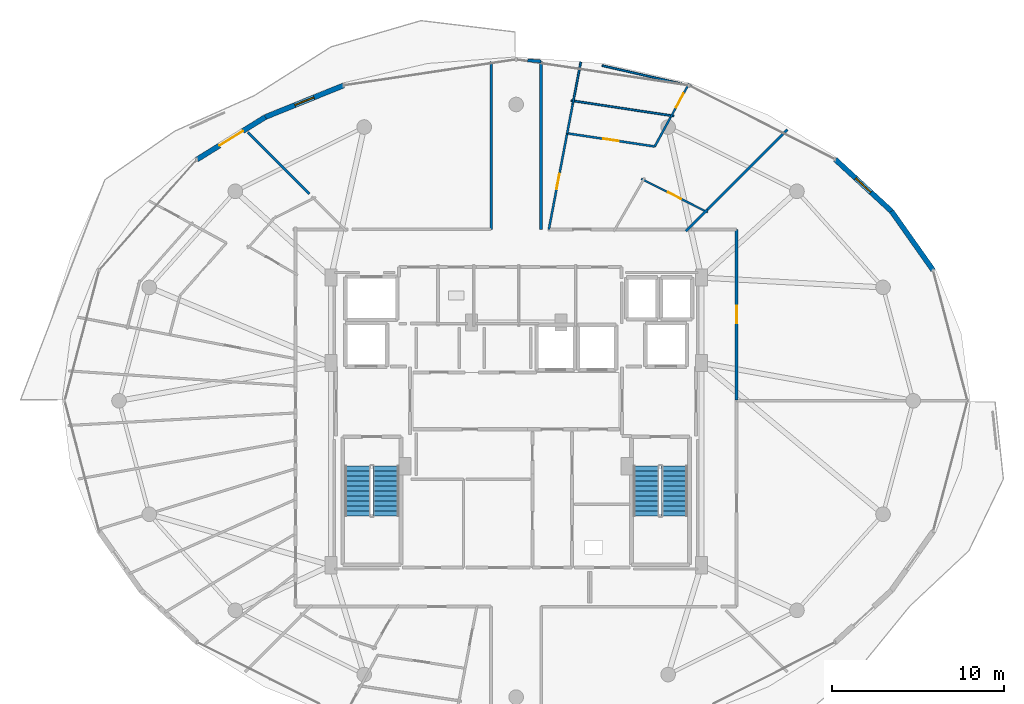
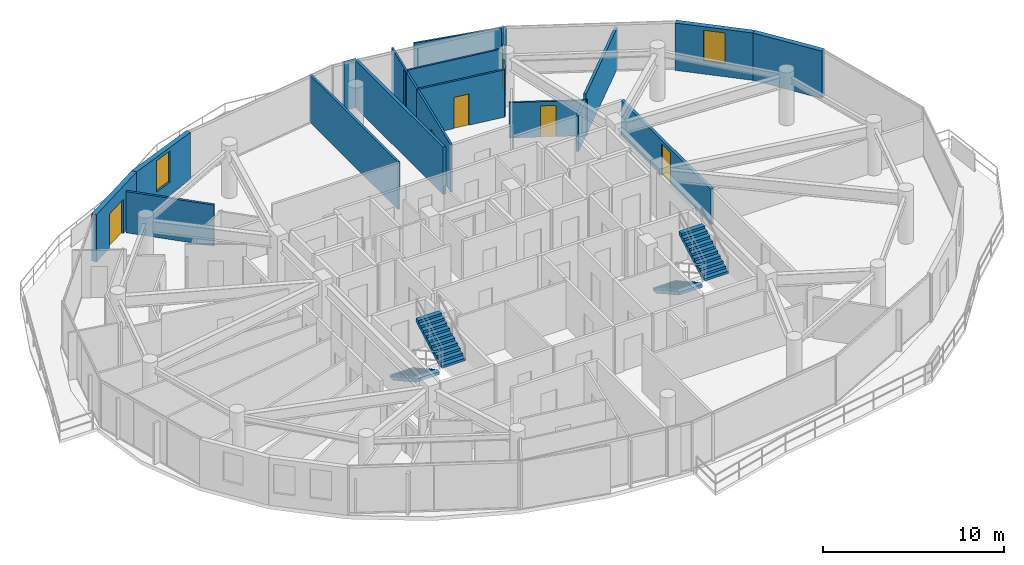
# One storey, part 21 of 25: 20 walls, 6 doors, 4 stair flights, 2 windows, 8 openings, 2 elements without a shape of their own.
"""IFC4 building model written with IfcOpenShell, lengths in metres."""

from ifc_helpers import new_model, si_unit, direction, frame, frame_2d, origin, place, context, subcontext, project, spatial, polyline, rectangle, outline, extrude, material, layer, layer_set, type_object, element, fill, aggregate, save


model = new_model("IFC4")

# Units and contexts
model_context = context("Model", 3, precision=1e-05, world=origin(), true_north=direction((0.0, 1.0)))
body_context = subcontext(model_context, "Body", "Model", "MODEL_VIEW")
ifc_project = project(units=[si_unit("LENGTHUNIT", "METRE"), si_unit("AREAUNIT", "SQUARE_METRE"), si_unit("VOLUMEUNIT", "CUBIC_METRE"), si_unit("PLANEANGLEUNIT", "RADIAN"), si_unit("MASSUNIT", "GRAM", prefix="KILO")], contexts=[model_context])

# Site, building, storey
site_placement = place(None, origin())
site = spatial("IfcSite", under=ifc_project, at=site_placement, CompositionType="ELEMENT")
building_placement = place(site_placement, origin())
building = spatial("IfcBuilding", under=site, at=building_placement, Name="Vorneva Point Tower", CompositionType="ELEMENT")
storey_placement = place(building_placement, frame((0.0, 0.0, 276.85009765625)))
storey = spatial("IfcBuildingStorey", under=building, at=storey_placement, Name="L75", CompositionType="ELEMENT", Elevation=276.85009765625)

# Wall
ifc_material_1 = material(Name="Precast concrete B50 (C40/50)", Category="concrete")
ifc_layer_1 = layer(ifc_material_1, 0.300048828125)
ifc_layer_set_1 = layer_set([ifc_layer_1], Name="Precast concrete B50 (C40/50)")
wall_type_1 = type_object("IfcWallType", Name="WL-EXT-300", PredefinedType="STANDARD", material=ifc_layer_set_1)
wall_1_placement = place(storey_placement, frame((62.20556640625, 33.5810546875, 0.0), z_axis=(0.0, 0.0, 1.0), x_axis=(-0.577261247247, 0.816559521668, 0.0)))
element("IfcWall", 1, at=wall_1_placement, inside=storey, type_object=wall_type_1, Name="L75 Pale-Metal Facade Spandrel Wall 02.1", PredefinedType="STANDARD", context=body_context, shape_type="SweptSolid", body=[
    extrude(rectangle(XDim=4.194091796875, YDim=0.300048828125, at=frame_2d((2.09716796875, 0.0))), origin(), (0.0, 0.0, 1.0), 3.18994140625),
])

# Wall, opening, window
wall_2_placement = place(storey_placement, frame((59.784423828125, 37.005859375, 0.0), z_axis=(0.0, 0.0, 1.0), x_axis=(-0.735445373611, 0.677584018727, 0.0)))
wall_2 = element("IfcWall", 2, at=wall_2_placement, inside=storey, type_object=wall_type_1, Name="L75 Pale-Metal Facade Spandrel Wall 02.2", PredefinedType="STANDARD", context=body_context, shape_type="SweptSolid", body=[
    extrude(rectangle(XDim=4.430419921875, YDim=0.300048828125, at=frame_2d((2.21533203125, 0.0))), origin(), (0.0, 0.0, 1.0), 3.18994140625),
])
opening_1_placement = place(wall_2_placement, frame((1.615234375, 0.0, 0.85009765625)))
opening_1 = element("IfcOpeningElement", 3, at=opening_1_placement, cuts=wall_2, Name="Opening W-04", PredefinedType="OPENING", context=body_context, shape_type="SweptSolid", body=[
    extrude(rectangle(XDim=1.199951171875, YDim=2.10009765625, at=frame_2d((0.60009765625, 1.050048828125))), frame((0.0, 0.1650390625, 0.0), z_axis=(0.0, -1.0, 0.0), x_axis=(1.0, 0.0, 0.0)), (0.0, 0.0, 1.0), 0.329833984375),
])
ifc_material_2 = material(Name="Double low-e laminated glass IGU", Category="glass")
window_type = type_object("IfcWindowType", Name="WN-RES-1200", PartitioningType="SINGLE_PANEL", PredefinedType="WINDOW", material=ifc_material_2)
window_1_placement = place(opening_1_placement, origin())
window_1 = element("IfcWindow", 4, at=window_1_placement, inside=storey, type_object=window_type, Name="L75 Facade Window 02", OverallHeight=2.10009765625, OverallWidth=1.199951171875, PartitioningType="SINGLE_PANEL", PredefinedType="WINDOW", context=body_context, shape_type="SweptSolid", body=[
    extrude(rectangle(XDim=1.199951171875, YDim=2.10009765625, at=frame_2d((0.60009765625, 1.050048828125))), frame((0.0, 0.030029296875, 0.0), z_axis=(0.0, -1.0, 0.0), x_axis=(1.0, 0.0, 0.0)), (0.0, 0.0, 1.0), 0.06005859375),
])
fill(opening_1, window_1)

wall_3_placement = place(storey_placement, frame((27.9736328125, 44.302001953125, 0.0), z_axis=(0.0, 0.0, 1.0), x_axis=(-0.927147375511, -0.374696869594, 0.0)))
wall_3 = element("IfcWall", 5, at=wall_3_placement, inside=storey, type_object=wall_type_1, Name="L75 Pale-Metal Facade Spandrel Wall 06.1", PredefinedType="STANDARD", context=body_context, shape_type="SweptSolid", body=[
    extrude(rectangle(XDim=4.885498046875, YDim=0.300048828125, at=frame_2d((2.44287109375, 0.0))), origin(), (0.0, 0.0, 1.0), 3.18994140625),
])
opening_2_placement = place(wall_3_placement, frame((1.8427734375, 0.0, 0.85009765625)))
opening_2 = element("IfcOpeningElement", 6, at=opening_2_placement, cuts=wall_3, Name="Opening W-04", PredefinedType="OPENING", context=body_context, shape_type="SweptSolid", body=[
    extrude(rectangle(XDim=1.199951171875, YDim=2.10009765625, at=frame_2d((0.60009765625, 1.050048828125))), frame((0.0, 0.1650390625, 0.0), z_axis=(0.0, -1.0, 0.0), x_axis=(1.0, 0.0, 0.0)), (0.0, 0.0, 1.0), 0.329833984375),
])
window_2_placement = place(opening_2_placement, origin())
window_2 = element("IfcWindow", 7, at=window_2_placement, inside=storey, type_object=window_type, Name="L75 Facade Window 06", OverallHeight=2.10009765625, OverallWidth=1.199951171875, PartitioningType="SINGLE_PANEL", PredefinedType="WINDOW", context=body_context, shape_type="SweptSolid", body=[
    extrude(rectangle(XDim=1.199951171875, YDim=2.10009765625, at=frame_2d((0.60009765625, 1.050048828125))), frame((0.0, 0.030029296875, 0.0), z_axis=(0.0, -1.0, 0.0), x_axis=(1.0, 0.0, 0.0)), (0.0, 0.0, 1.0), 0.06005859375),
])
fill(opening_2, window_2)

# Wall, opening, door
wall_4_placement = place(storey_placement, frame((23.444091796875, 42.471435546875, 0.0), z_axis=(0.0, 0.0, 1.0), x_axis=(-0.849702323036, -0.527262707032, 0.0)))
wall_4 = element("IfcWall", 8, at=wall_4_placement, inside=storey, type_object=wall_type_1, Name="L75 Pale-Metal Facade Spandrel Wall 06.2", PredefinedType="STANDARD", context=body_context, shape_type="SweptSolid", body=[
    extrude(rectangle(XDim=4.67236328125, YDim=0.300048828125, at=frame_2d((2.336181640625, 0.0))), origin(), (0.0, 0.0, 1.0), 3.18994140625),
])
opening_3_placement = place(wall_4_placement, frame((1.536376953125, 0.0, 0.0)))
opening_3 = element("IfcOpeningElement", 9, at=opening_3_placement, cuts=wall_4, Name="Opening BD-01", PredefinedType="OPENING", context=body_context, shape_type="SweptSolid", body=[
    extrude(rectangle(XDim=1.60009765625, YDim=2.300048828125, at=frame_2d((0.800048828125, 1.14990234375))), frame((0.0, 0.1650390625, 0.0), z_axis=(0.0, -1.0, 0.0), x_axis=(1.0, 0.0, 0.0)), (0.0, 0.0, 1.0), 0.329833984375),
])
ifc_material_3 = material(Name="Pale anodised aluminium", Category="aluminium")
door_type_1 = type_object("IfcDoorType", Name="DR-BAL-1600", OperationType="SLIDING_TO_LEFT", PredefinedType="DOOR", material=ifc_material_3)
door_1_placement = place(opening_3_placement, origin())
door_1 = element("IfcDoor", 10, at=door_1_placement, inside=storey, type_object=door_type_1, Name="L75 Balcony Terrace Access Door 06", OperationType="SLIDING_TO_LEFT", OverallHeight=2.300048828125, OverallWidth=1.60009765625, PredefinedType="DOOR", context=body_context, shape_type="SweptSolid", body=[
    extrude(rectangle(XDim=1.60009765625, YDim=2.300048828125, at=frame_2d((0.800048828125, 1.14990234375))), frame((0.0, 0.02490234375, 0.0), z_axis=(0.0, -1.0, 0.0), x_axis=(1.0, 0.0, 0.0)), (0.0, 0.0, 1.0), 0.050048828125),
])
fill(opening_3, door_1)

ifc_material_4 = material(Name="Fire-rated acoustic gypsum stud partition", Category="gypsum")
ifc_layer_2 = layer(ifc_material_4, 0.110107421875)
ifc_layer_set_2 = layer_set([ifc_layer_2], Name="Fire-rated acoustic gypsum stud partition")
wall_type_2 = type_object("IfcWallType", Name="WL-PART-110", PredefinedType="PARTITIONING", material=ifc_layer_set_2)
wall_5_placement = place(storey_placement, frame((45.263916015625, 38.885986328125, 0.0), z_axis=(0.0, 0.0, 1.0), x_axis=(0.892556527512, -0.450935522216, 0.0)))
wall_5 = element("IfcWall", 11, at=wall_5_placement, inside=storey, type_object=wall_type_2, Name="L75 Interior Partition 064", PredefinedType="PARTITIONING", context=body_context, shape_type="SweptSolid", body=[
    extrude(rectangle(XDim=4.32470703125, YDim=0.110107421875, at=frame_2d((2.162353515625, 0.0))), origin(), (0.0, 0.0, 1.0), 2.3818359375),
])
opening_4_placement = place(wall_5_placement, frame((1.7373046875, 0.0, 0.0)))
opening_4 = element("IfcOpeningElement", 12, at=opening_4_placement, cuts=wall_5, Name="Opening ID-02", PredefinedType="OPENING", context=body_context, shape_type="SweptSolid", body=[
    extrude(rectangle(XDim=0.85009765625, YDim=2.10009765625, at=frame_2d((0.425048828125, 1.050048828125))), frame((0.0, 0.06982421875, 0.0), z_axis=(0.0, -1.0, 0.0), x_axis=(1.0, 0.0, 0.0)), (0.0, 0.0, 1.0), 0.139892578125),
])
ifc_material_5 = material(Name="Engineered oak fire-rated door leaf", Category="wood")
door_type_2 = type_object("IfcDoorType", Name="DR-BATH-850", OperationType="NOTDEFINED", PredefinedType="DOOR", material=ifc_material_5)
door_2_placement = place(opening_4_placement, origin())
door_2 = element("IfcDoor", 13, at=door_2_placement, inside=storey, type_object=door_type_2, Name="L75 Door Living and Dining Room L75-01 / Bathroom L75-01", OperationType="SINGLE_SWING_LEFT", OverallHeight=2.10009765625, OverallWidth=0.85009765625, PredefinedType="DOOR", context=body_context, shape_type="SweptSolid", body=[
    extrude(rectangle(XDim=0.85009765625, YDim=2.10009765625, at=frame_2d((0.425048828125, 1.050048828125))), frame((0.0, 0.02490234375, 0.0), z_axis=(0.0, -1.0, 0.0), x_axis=(1.0, 0.0, 0.0)), (0.0, 0.0, 1.0), 0.050048828125),
])
fill(opening_4, door_2)

# Walls
wall_6_placement = place(storey_placement, frame((41.28369140625, 43.21142578125, 0.0), z_axis=(0.0, 0.0, 1.0), x_axis=(0.187233159216, 0.982315501298, 0.0)))
element("IfcWall", 14, at=wall_6_placement, inside=storey, type_object=wall_type_2, Name="L75 Interior Partition 065", PredefinedType="PARTITIONING", context=body_context, shape_type="SweptSolid", body=[
    extrude(rectangle(XDim=2.502197265625, YDim=0.110107421875, at=frame_2d((1.2509765625, 0.0))), origin(), (0.0, 0.0, 1.0), 3.18994140625),
])
wall_7_placement = place(storey_placement, frame((48.17138671875, 44.2666015625, 0.0), z_axis=(0.0, 0.0, 1.0), x_axis=(-0.974586324437, 0.224012268015, 0.0)))
element("IfcWall", 15, at=wall_7_placement, inside=storey, type_object=wall_type_2, Name="L75 Interior Partition 066", PredefinedType="PARTITIONING", context=body_context, shape_type="SweptSolid", body=[
    extrude(rectangle(XDim=5.324951171875, YDim=0.110107421875, at=frame_2d((2.66259765625, 0.0))), origin(), (0.0, 0.0, 1.0), 3.18994140625),
])

# Wall, opening, door
wall_8_placement = place(storey_placement, frame((48.0439453125, 44.433837890625, 0.0), z_axis=(0.0, 0.0, 1.0), x_axis=(-0.478485169604, -0.878095634011, 0.0)))
wall_8 = element("IfcWall", 16, at=wall_8_placement, inside=storey, type_object=wall_type_2, Name="L75 Interior Partition 067", PredefinedType="PARTITIONING", context=body_context, shape_type="SweptSolid", body=[
    extrude(rectangle(XDim=2.284423828125, YDim=0.110107421875, at=frame_2d((1.14208984375, 0.0))), origin(), (0.0, 0.0, 1.0), 3.18994140625),
])
opening_5_placement = place(wall_8_placement, frame((0.692138671875, 0.0, 0.0)))
opening_5 = element("IfcOpeningElement", 17, at=opening_5_placement, cuts=wall_8, Name="Opening ID-01", PredefinedType="OPENING", context=body_context, shape_type="SweptSolid", body=[
    extrude(rectangle(XDim=0.89990234375, YDim=2.10009765625, at=frame_2d((0.449951171875, 1.050048828125))), frame((0.0, 0.06982421875, 0.0), z_axis=(0.0, -1.0, 0.0), x_axis=(1.0, 0.0, 0.0)), (0.0, 0.0, 1.0), 0.139892578125),
])
door_type_3 = type_object("IfcDoorType", Name="DR-ROOM-900", OperationType="NOTDEFINED", PredefinedType="DOOR", material=ifc_material_5)
door_3_placement = place(opening_5_placement, origin())
door_3 = element("IfcDoor", 18, at=door_3_placement, inside=storey, type_object=door_type_3, Name="L75 Door Living and Dining Room L75-01 / Kitchen L75-01", OperationType="SINGLE_SWING_LEFT", OverallHeight=2.10009765625, OverallWidth=0.89990234375, PredefinedType="DOOR", context=body_context, shape_type="SweptSolid", body=[
    extrude(rectangle(XDim=0.89990234375, YDim=2.10009765625, at=frame_2d((0.449951171875, 1.050048828125))), frame((0.0, 0.02490234375, 0.0), z_axis=(0.0, -1.0, 0.0), x_axis=(1.0, 0.0, 0.0)), (0.0, 0.0, 1.0), 0.050048828125),
])
fill(opening_5, door_3)

# Wall
wall_9_placement = place(storey_placement, frame((41.1826171875, 43.4287109375, 0.0), z_axis=(0.0, 0.0, 1.0), x_axis=(0.988879067965, -0.148721850918, 0.0)))
element("IfcWall", 19, at=wall_9_placement, inside=storey, type_object=wall_type_2, Name="L75 Interior Partition 074", PredefinedType="PARTITIONING", context=body_context, shape_type="SweptSolid", body=[
    extrude(rectangle(XDim=6.041015625, YDim=0.110107421875, at=frame_2d((3.0205078125, 0.0))), origin(), (0.0, 0.0, 1.0), 3.18994140625),
])

# Wall, opening, door
ifc_layer_3 = layer(ifc_material_4, 0.125)
ifc_layer_set_3 = layer_set([ifc_layer_3], Name="Fire-rated acoustic gypsum stud partition")
wall_type_3 = type_object("IfcWallType", Name="WL-PART-125", PredefinedType="PARTITIONING", material=ifc_layer_set_3)
wall_10_placement = place(storey_placement, frame((46.04296875, 40.761962890625, 0.0), z_axis=(0.0, 0.0, 1.0), x_axis=(-0.988886109078, 0.148675025721, 0.0)))
wall_10 = element("IfcWall", 20, at=wall_10_placement, inside=storey, type_object=wall_type_3, Name="L75 Interior Partition 068", PredefinedType="PARTITIONING", context=body_context, shape_type="SweptSolid", body=[
    extrude(rectangle(XDim=5.13818359375, YDim=0.125, at=frame_2d((2.569091796875, 0.0))), origin(), (0.0, 0.0, 1.0), 3.18994140625),
])
opening_6_placement = place(wall_10_placement, frame((2.119140625, 0.0, 0.0)))
opening_6 = element("IfcOpeningElement", 21, at=opening_6_placement, cuts=wall_10, Name="Opening ID-01", PredefinedType="OPENING", context=body_context, shape_type="SweptSolid", body=[
    extrude(rectangle(XDim=0.89990234375, YDim=2.10009765625, at=frame_2d((0.449951171875, 1.050048828125))), frame((0.0, 0.077392578125, 0.0), z_axis=(0.0, -1.0, 0.0), x_axis=(1.0, 0.0, 0.0)), (0.0, 0.0, 1.0), 0.15478515625),
])
door_4_placement = place(opening_6_placement, origin())
door_4 = element("IfcDoor", 22, at=door_4_placement, inside=storey, type_object=door_type_3, Name="L75 Door Living and Dining Room L75-01 / Study Room L75-01", OperationType="SINGLE_SWING_LEFT", OverallHeight=2.10009765625, OverallWidth=0.89990234375, PredefinedType="DOOR", context=body_context, shape_type="SweptSolid", body=[
    extrude(rectangle(XDim=0.89990234375, YDim=2.10009765625, at=frame_2d((0.449951171875, 1.050048828125))), frame((0.0, 0.02490234375, 0.0), z_axis=(0.0, -1.0, 0.0), x_axis=(1.0, 0.0, 0.0)), (0.0, 0.0, 1.0), 0.050048828125),
])
fill(opening_6, door_4)

# Walls
wall_11_placement = place(storey_placement, frame((40.9619140625, 41.52587890625, 0.0), z_axis=(0.0, 0.0, 1.0), x_axis=(0.187353972187, 0.982292466176, 0.0)))
element("IfcWall", 23, at=wall_11_placement, inside=storey, type_object=wall_type_3, Name="L75 Interior Partition 069", PredefinedType="PARTITIONING", context=body_context, shape_type="SweptSolid", body=[
    extrude(rectangle(XDim=1.716064453125, YDim=0.125, at=frame_2d((0.85791015625, 0.0))), origin(), (0.0, 0.0, 1.0), 3.18994140625),
])
wall_12_placement = place(storey_placement, frame((46.950927734375, 42.427978515625, 0.0), z_axis=(0.0, 0.0, 1.0), x_axis=(-0.478536562944, -0.878067627194, 0.0)))
element("IfcWall", 24, at=wall_12_placement, inside=storey, type_object=wall_type_3, Name="L75 Interior Partition 070", PredefinedType="PARTITIONING", context=body_context, shape_type="SweptSolid", body=[
    extrude(rectangle(XDim=1.8974609375, YDim=0.125, at=frame_2d((0.94873046875, 0.0))), origin(), (0.0, 0.0, 1.0), 3.18994140625),
])

# Wall, opening, door
wall_13_placement = place(storey_placement, frame((40.9619140625, 41.52587890625, 0.0), z_axis=(0.0, 0.0, 1.0), x_axis=(-0.18743226397, -0.982277530244, 0.0)))
wall_13 = element("IfcWall", 25, at=wall_13_placement, inside=storey, type_object=wall_type_3, Name="L75 Interior Partition 071", PredefinedType="PARTITIONING", context=body_context, shape_type="SweptSolid", body=[
    extrude(rectangle(XDim=5.676513671875, YDim=0.125, at=frame_2d((2.83837890625, 0.0))), origin(), (0.0, 0.0, 1.0), 3.18994140625),
])
opening_7_placement = place(wall_13_placement, frame((2.38818359375, 0.0, 0.0)))
opening_7 = element("IfcOpeningElement", 26, at=opening_7_placement, cuts=wall_13, Name="Opening ID-01", PredefinedType="OPENING", context=body_context, shape_type="SweptSolid", body=[
    extrude(rectangle(XDim=0.89990234375, YDim=2.10009765625, at=frame_2d((0.449951171875, 1.050048828125))), frame((0.0, 0.077392578125, 0.0), z_axis=(0.0, -1.0, 0.0), x_axis=(1.0, 0.0, 0.0)), (0.0, 0.0, 1.0), 0.15478515625),
])
door_5_placement = place(opening_7_placement, origin())
door_5 = element("IfcDoor", 27, at=door_5_placement, inside=storey, type_object=door_type_3, Name="L75 Door Living and Dining Room L75-01 / Master Bedroom L75-01.1", OperationType="SINGLE_SWING_RIGHT", OverallHeight=2.10009765625, OverallWidth=0.89990234375, PredefinedType="DOOR", context=body_context, shape_type="SweptSolid", body=[
    extrude(rectangle(XDim=0.89990234375, YDim=2.10009765625, at=frame_2d((0.449951171875, 1.050048828125))), frame((0.0, 0.02490234375, 0.0), z_axis=(0.0, -1.0, 0.0), x_axis=(1.0, 0.0, 0.0)), (0.0, 0.0, 1.0), 0.050048828125),
])
fill(opening_7, door_5)

# Walls
ifc_layer_4 = layer(ifc_material_4, 0.139892578125)
ifc_layer_set_4 = layer_set([ifc_layer_4], Name="Fire-rated acoustic gypsum stud partition")
wall_type_4 = type_object("IfcWallType", Name="WL-PART-140", PredefinedType="PARTITIONING", material=ifc_layer_set_4)
wall_14_placement = place(storey_placement, frame((36.550048828125, 45.700927734375, 0.0), z_axis=(0.0, 0.0, 1.0), x_axis=(0.0, -1.0, 0.0)))
element("IfcWall", 28, at=wall_14_placement, inside=storey, type_object=wall_type_4, Name="L75 Interior Closure Partition 118", PredefinedType="PARTITIONING", context=body_context, shape_type="SweptSolid", body=[
    extrude(rectangle(XDim=9.7509765625, YDim=0.139892578125, at=frame_2d((4.87548828125, 0.0))), origin(), (0.0, 0.0, 1.0), 3.18994140625),
])
wall_15_placement = place(storey_placement, frame((25.988037109375, 38.011962890625, 0.0), z_axis=(0.0, 0.0, 1.0), x_axis=(-0.707106781187, 0.707106781187, 0.0)))
element("IfcWall", 29, at=wall_15_placement, inside=storey, type_object=wall_type_4, Name="L75 Interior Closure Partition 133", PredefinedType="PARTITIONING", context=body_context, shape_type="SweptSolid", body=[
    extrude(rectangle(XDim=5.04296875, YDim=0.139892578125, at=frame_2d((2.521484375, 0.0))), origin(), (0.0, 0.0, 1.0), 2.77392578125),
])
ifc_layer_5 = layer(ifc_material_4, 0.159912109375)
ifc_layer_set_5 = layer_set([ifc_layer_5], Name="Fire-rated acoustic gypsum stud partition")
wall_type_5 = type_object("IfcWallType", Name="WL-PART-160", PredefinedType="PARTITIONING", material=ifc_layer_set_5)
wall_16_placement = place(storey_placement, frame((48.9990234375, 36.9990234375, 0.0), z_axis=(0.0, 0.0, 1.0), x_axis=(0.707106781187, 0.707106781187, 0.0)))
element("IfcWall", 30, at=wall_16_placement, inside=storey, type_object=wall_type_5, Name="L75 Interior Partition 072", PredefinedType="PARTITIONING", context=body_context, shape_type="SweptSolid", body=[
    extrude(rectangle(XDim=6.70068359375, YDim=0.159912109375, at=frame_2d((3.350341796875, 0.0))), origin(), (0.0, 0.0, 1.0), 2.77392578125),
])
wall_17_placement = place(storey_placement, frame((47.85107421875, 35.85107421875, 0.0), z_axis=(0.0, 0.0, 1.0), x_axis=(0.707106781187, 0.707106781187, 0.0)))
element("IfcWall", 31, at=wall_17_placement, inside=storey, type_object=wall_type_5, Name="L75 Interior Partition 073", PredefinedType="PARTITIONING", context=body_context, shape_type="SweptSolid", body=[
    extrude(rectangle(XDim=1.76318359375, YDim=0.159912109375, at=frame_2d((0.881591796875, 0.0))), origin(), (0.0, 0.0, 1.0), 2.3818359375),
])
ifc_material_6 = material(Name="Autoclaved aerated concrete blockwork", Category="masonry")
ifc_layer_6 = layer(ifc_material_6, 0.179931640625)
ifc_layer_set_6 = layer_set([ifc_layer_6], Name="Autoclaved aerated concrete blockwork")
wall_type_6 = type_object("IfcWallType", Name="WL-PART-180", PredefinedType="PARTITIONING", material=ifc_layer_set_6)
wall_18_placement = place(storey_placement, frame((39.449951171875, 45.700927734375, 0.0), z_axis=(0.0, 0.0, 1.0), x_axis=(-0.997136622012, 0.0756211415, 0.0)))
element("IfcWall", 32, at=wall_18_placement, inside=storey, type_object=wall_type_6, Name="L75 Interior Partition 040", PredefinedType="PARTITIONING", context=body_context, shape_type="SweptSolid", body=[
    extrude(rectangle(XDim=0.78125, YDim=0.179931640625, at=frame_2d((0.390625, 0.0))), origin(), (0.0, 0.0, 1.0), 3.18994140625),
])
wall_19_placement = place(storey_placement, frame((39.449951171875, 35.949951171875, 0.0), z_axis=(0.0, 0.0, 1.0), x_axis=(0.0, 1.0, 0.0)))
element("IfcWall", 33, at=wall_19_placement, inside=storey, type_object=wall_type_6, Name="L75 Interior Partition 041", PredefinedType="PARTITIONING", context=body_context, shape_type="SweptSolid", body=[
    extrude(rectangle(XDim=9.7509765625, YDim=0.179931640625, at=frame_2d((4.87548828125, 0.0))), origin(), (0.0, 0.0, 1.0), 3.18994140625),
])

# Wall, opening, door
wall_20_placement = place(storey_placement, frame((50.800048828125, 26.06005859375, 0.0), z_axis=(0.0, 0.0, 1.0), x_axis=(0.0, 1.0, 0.0)))
wall_20 = element("IfcWall", 34, at=wall_20_placement, inside=storey, type_object=wall_type_6, Name="L75 Interior Partition 061", PredefinedType="PARTITIONING", context=body_context, shape_type="SweptSolid", body=[
    extrude(rectangle(XDim=9.889892578125, YDim=0.179931640625, at=frame_2d((4.94482421875, 0.0))), origin(), (0.0, 0.0, 1.0), 2.3818359375),
])
opening_8_placement = place(wall_20_placement, frame((4.445068359375, 0.0, 0.0)))
opening_8 = element("IfcOpeningElement", 35, at=opening_8_placement, cuts=wall_20, Name="Opening UD-01", PredefinedType="OPENING", context=body_context, shape_type="SweptSolid", body=[
    extrude(rectangle(XDim=1.0, YDim=2.14990234375, at=frame_2d((0.5, 1.074951171875))), frame((0.0, 0.10498046875, 0.0), z_axis=(0.0, -1.0, 0.0), x_axis=(1.0, 0.0, 0.0)), (0.0, 0.0, 1.0), 0.209716796875),
])
door_type_4 = type_object("IfcDoorType", Name="DR-UNIT-1000", OperationType="NOTDEFINED", PredefinedType="DOOR", material=ifc_material_5)
door_6_placement = place(opening_8_placement, origin())
door_6 = element("IfcDoor", 36, at=door_6_placement, inside=storey, type_object=door_type_4, Name="L75 Door L75 Circulation Corridor / Residents Sky Lounge L75-05", OperationType="SINGLE_SWING_RIGHT", OverallHeight=2.14990234375, OverallWidth=1.0, PredefinedType="DOOR", context=body_context, shape_type="SweptSolid", body=[
    extrude(rectangle(XDim=1.0, YDim=2.14990234375, at=frame_2d((0.5, 1.074951171875))), frame((0.0, 0.02490234375, 0.0), z_axis=(0.0, -1.0, 0.0), x_axis=(1.0, 0.0, 0.0)), (0.0, 0.0, 1.0), 0.050048828125),
])
fill(opening_8, door_6)

# Stair, stair flights
ifc_material_7 = material(Name="Concrete B50 (C40/50)", Category="concrete")
stair_type = type_object("IfcStairType", Name="ST-DOG-1500", PredefinedType="HALF_TURN_STAIR", material=ifc_material_7)
stair_1_placement = place(storey_placement, origin())
stair_1 = element("IfcStair", 37, at=stair_1_placement, inside=storey, type_object=stair_type, Name="L75 ST1", PredefinedType="HALF_TURN_STAIR")
stair_flight_type = type_object("IfcStairFlightType", Name="STF-1500", PredefinedType="STRAIGHT", material=ifc_material_7)
stair_flight_1_placement = place(storey_placement, frame((28.800048828125, 22.219970703125, 0.0), z_axis=(0.0, 0.0, 1.0), x_axis=(0.0, -1.0, 0.0)))
stair_flight_1 = element("IfcStairFlight", 38, at=stair_flight_1_placement, type_object=stair_flight_type, Name="ST1 flight 1", NumberOfRisers=11, NumberOfTreads=10, PredefinedType="STRAIGHT", RiserHeight=0.161363636, TreadLength=0.29, context=body_context, shape_type="SweptSolid", body=[
    extrude(outline(polyline([(0.0, 0.0), (0.0, 0.161376953125), (0.2900390625, 0.161376953125), (0.2900390625, 0.32275390625), (0.580078125, 0.32275390625), (0.580078125, 0.484130859375), (0.8701171875, 0.484130859375), (0.8701171875, 0.6455078125), (1.159912109375, 0.6455078125), (1.159912109375, 0.806884765625), (1.449951171875, 0.806884765625), (1.449951171875, 0.96826171875), (1.739990234375, 0.96826171875), (1.739990234375, 1.129638671875), (2.030029296875, 1.129638671875), (2.030029296875, 1.291015625), (2.320068359375, 1.291015625), (2.320068359375, 1.452392578125), (2.610107421875, 1.452392578125), (2.610107421875, 1.613525390625), (2.89990234375, 1.613525390625), (2.89990234375, 1.77490234375), (2.89990234375, 1.40771484375), (0.3701171875, 0.0), (0.0, 0.0)])), frame((0.0, 0.75, 0.0), z_axis=(0.0, -1.0, 0.0), x_axis=(1.0, 0.0, 0.0)), (0.0, 0.0, 1.0), 1.5),
])
stair_flight_2_placement = place(storey_placement, frame((30.449951171875, 19.320068359375, 1.77490234375), z_axis=(0.0, 0.0, 1.0), x_axis=(0.0, 1.0, 0.0)))
stair_flight_2 = element("IfcStairFlight", 39, at=stair_flight_2_placement, type_object=stair_flight_type, Name="ST1 flight 2", NumberOfRisers=11, NumberOfTreads=10, PredefinedType="STRAIGHT", RiserHeight=0.161363636, TreadLength=0.29, context=body_context, shape_type="SweptSolid", body=[
    extrude(outline(polyline([(0.0, 0.0), (0.0, 0.161376953125), (0.2900390625, 0.161376953125), (0.2900390625, 0.32275390625), (0.580078125, 0.32275390625), (0.580078125, 0.484130859375), (0.8701171875, 0.484130859375), (0.8701171875, 0.6455078125), (1.159912109375, 0.6455078125), (1.159912109375, 0.806884765625), (1.449951171875, 0.806884765625), (1.449951171875, 0.96826171875), (1.739990234375, 0.96826171875), (1.739990234375, 1.129638671875), (2.030029296875, 1.129638671875), (2.030029296875, 1.291015625), (2.320068359375, 1.291015625), (2.320068359375, 1.452392578125), (2.610107421875, 1.452392578125), (2.610107421875, 1.613525390625), (2.89990234375, 1.613525390625), (2.89990234375, 1.77490234375), (2.89990234375, 1.40771484375), (0.3701171875, 0.0), (0.0, 0.0)])), frame((0.0, 0.75, 0.0), z_axis=(0.0, -1.0, 0.0), x_axis=(1.0, 0.0, 0.0)), (0.0, 0.0, 1.0), 1.5),
])
aggregate(stair_1, [stair_flight_1, stair_flight_2])

stair_2_placement = place(storey_placement, origin())
stair_2 = element("IfcStair", 40, at=stair_2_placement, inside=storey, type_object=stair_type, Name="L75 ST2", PredefinedType="HALF_TURN_STAIR")
stair_flight_3_placement = place(storey_placement, frame((45.550048828125, 22.219970703125, 0.0), z_axis=(0.0, 0.0, 1.0), x_axis=(0.0, -1.0, 0.0)))
stair_flight_3 = element("IfcStairFlight", 41, at=stair_flight_3_placement, type_object=stair_flight_type, Name="ST2 flight 1", NumberOfRisers=11, NumberOfTreads=10, PredefinedType="STRAIGHT", RiserHeight=0.161363636, TreadLength=0.29, context=body_context, shape_type="SweptSolid", body=[
    extrude(outline(polyline([(0.0, 0.0), (0.0, 0.161376953125), (0.2900390625, 0.161376953125), (0.2900390625, 0.32275390625), (0.580078125, 0.32275390625), (0.580078125, 0.484130859375), (0.8701171875, 0.484130859375), (0.8701171875, 0.6455078125), (1.159912109375, 0.6455078125), (1.159912109375, 0.806884765625), (1.449951171875, 0.806884765625), (1.449951171875, 0.96826171875), (1.739990234375, 0.96826171875), (1.739990234375, 1.129638671875), (2.030029296875, 1.129638671875), (2.030029296875, 1.291015625), (2.320068359375, 1.291015625), (2.320068359375, 1.452392578125), (2.610107421875, 1.452392578125), (2.610107421875, 1.613525390625), (2.89990234375, 1.613525390625), (2.89990234375, 1.77490234375), (2.89990234375, 1.40771484375), (0.3701171875, 0.0), (0.0, 0.0)])), frame((0.0, 0.75, 0.0), z_axis=(0.0, -1.0, 0.0), x_axis=(1.0, 0.0, 0.0)), (0.0, 0.0, 1.0), 1.5),
])
stair_flight_4_placement = place(storey_placement, frame((47.199951171875, 19.320068359375, 1.77490234375), z_axis=(0.0, 0.0, 1.0), x_axis=(0.0, 1.0, 0.0)))
stair_flight_4 = element("IfcStairFlight", 42, at=stair_flight_4_placement, type_object=stair_flight_type, Name="ST2 flight 2", NumberOfRisers=11, NumberOfTreads=10, PredefinedType="STRAIGHT", RiserHeight=0.161363636, TreadLength=0.29, context=body_context, shape_type="SweptSolid", body=[
    extrude(outline(polyline([(0.0, 0.0), (0.0, 0.161376953125), (0.2900390625, 0.161376953125), (0.2900390625, 0.32275390625), (0.580078125, 0.32275390625), (0.580078125, 0.484130859375), (0.8701171875, 0.484130859375), (0.8701171875, 0.6455078125), (1.159912109375, 0.6455078125), (1.159912109375, 0.806884765625), (1.449951171875, 0.806884765625), (1.449951171875, 0.96826171875), (1.739990234375, 0.96826171875), (1.739990234375, 1.129638671875), (2.030029296875, 1.129638671875), (2.030029296875, 1.291015625), (2.320068359375, 1.291015625), (2.320068359375, 1.452392578125), (2.610107421875, 1.452392578125), (2.610107421875, 1.613525390625), (2.89990234375, 1.613525390625), (2.89990234375, 1.77490234375), (2.89990234375, 1.40771484375), (0.3701171875, 0.0), (0.0, 0.0)])), frame((0.0, 0.75, 0.0), z_axis=(0.0, -1.0, 0.0), x_axis=(1.0, 0.0, 0.0)), (0.0, 0.0, 1.0), 1.5),
])
aggregate(stair_2, [stair_flight_3, stair_flight_4])

save(model, "model.ifc")
